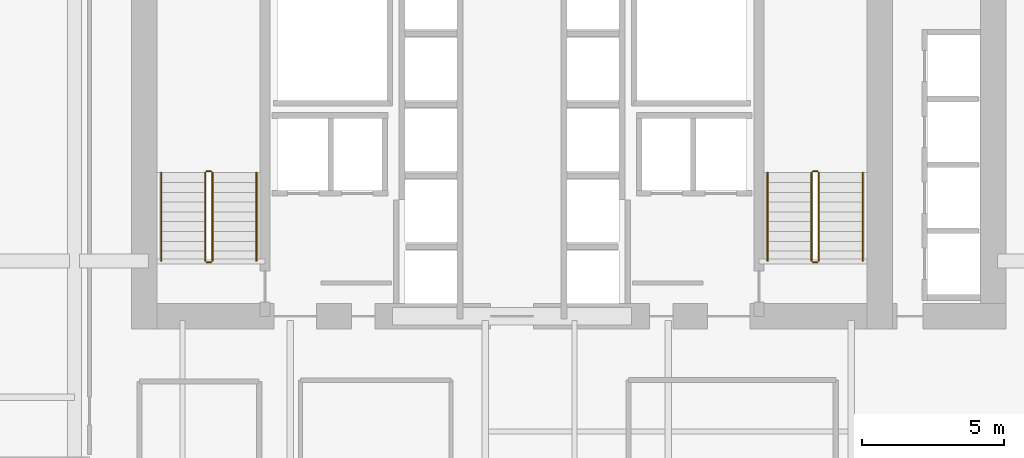
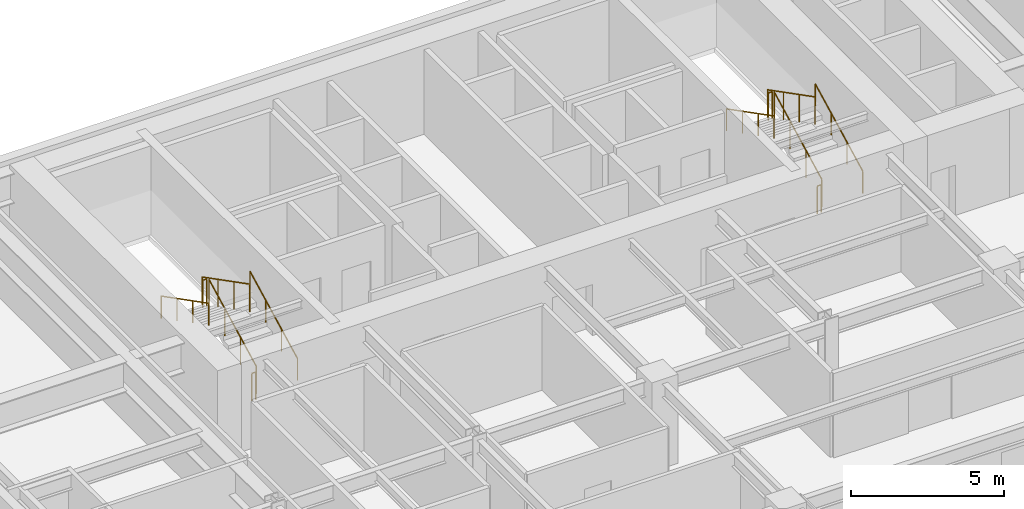
# One storey, part 17 of 17: 12 railings.
"""IFC4 building model written with IfcOpenShell, lengths in metres."""

from ifc_helpers import new_model, si_unit, direction, frame, origin, origin_2d, place, context, subcontext, project, spatial, circle, extrude, material, type_object, element, save


model = new_model("IFC4")

# Units and contexts
model_context = context("Model", 3, precision=1e-05, world=origin(), true_north=direction((0.0, 1.0)))
body_context = subcontext(model_context, "Body", "Model", "MODEL_VIEW")
ifc_project = project(units=[si_unit("LENGTHUNIT", "METRE"), si_unit("AREAUNIT", "SQUARE_METRE"), si_unit("VOLUMEUNIT", "CUBIC_METRE"), si_unit("PLANEANGLEUNIT", "RADIAN"), si_unit("MASSUNIT", "GRAM", prefix="KILO")], contexts=[model_context])

# Site, building, storey
site_placement = place(None, origin())
site = spatial("IfcSite", under=ifc_project, at=site_placement, CompositionType="ELEMENT")
building_placement = place(site_placement, origin())
building = spatial("IfcBuilding", under=site, at=building_placement, Name="Tolvann Quenvar Hotel", CompositionType="ELEMENT")
storey_placement = place(building_placement, frame((0.0, 0.0, 49.75)))
storey = spatial("IfcBuildingStorey", under=building, at=storey_placement, Name="L11", CompositionType="ELEMENT", Elevation=49.75)

# Railings
ifc_material = material(Name="Brushed 316 stainless steel balustrade and handrail", Category="steel")
railing_type_1 = type_object("IfcRailingType", Name="GUARDRAIL", PredefinedType="GUARDRAIL", material=ifc_material)
railing_1_placement = place(storey_placement, frame((12.449951171875, 34.0, 0.177490234375)))
element("IfcRailing", 1, at=railing_1_placement, inside=storey, type_object=railing_type_1, Name="L11 ST-C1 stair guard 1", PredefinedType="GUARDRAIL", context=body_context, shape_type="SweptSolid", body=[
    extrude(circle(Radius=0.02392578125, at=origin_2d()), frame((0.0, 0.0, 1.09619140625), z_axis=(0.0, 0.889221982265, 0.45747597342), x_axis=(-1.0, 0.0, 0.0)), (0.0, 0.0, 1.0), 3.49169921875),
    extrude(circle(Radius=0.02099609375, at=origin_2d()), origin(), (0.0, 0.0, 1.0), 1.072021484375),
    extrude(circle(Radius=0.02099609375, at=origin_2d()), frame((0.0, 1.034912109375, 0.532470703125)), (0.0, 0.0, 1.0), 1.072021484375),
    extrude(circle(Radius=0.02099609375, at=origin_2d()), frame((0.0, 2.070068359375, 1.06494140625)), (0.0, 0.0, 1.0), 1.072021484375),
    extrude(circle(Radius=0.02099609375, at=origin_2d()), frame((0.0, 3.10498046875, 1.597412109375)), (0.0, 0.0, 1.0), 1.072021484375),
])
railing_2_placement = place(storey_placement, frame((12.39990234375, 37.155029296875, 1.77490234375)))
element("IfcRailing", 2, at=railing_2_placement, inside=storey, type_object=railing_type_1, Name="L11 ST-C1 stair guard 2", PredefinedType="GUARDRAIL", context=body_context, shape_type="SweptSolid", body=[
    extrude(circle(Radius=0.02392578125, at=origin_2d()), frame((0.0, 0.0, 1.09619140625), z_axis=(-1.0, 0.0, 0.0), x_axis=(0.0, -1.0, 0.0)), (0.0, 0.0, 1.0), 0.14990234375),
    extrude(circle(Radius=0.02099609375, at=origin_2d()), origin(), (0.0, 0.0, 1.0), 1.072021484375),
    extrude(circle(Radius=0.02099609375, at=origin_2d()), frame((-0.14990234375, 0.0, 0.0)), (0.0, 0.0, 1.0), 1.072021484375),
])
railing_3_placement = place(storey_placement, frame((12.199951171875, 37.10498046875, 1.952392578125)))
element("IfcRailing", 3, at=railing_3_placement, inside=storey, type_object=railing_type_1, Name="L11 ST-C1 stair guard 3", PredefinedType="GUARDRAIL", context=body_context, shape_type="SweptSolid", body=[
    extrude(circle(Radius=0.02392578125, at=origin_2d()), frame((0.0, 0.0, 1.09619140625), z_axis=(0.0, -0.88919353882, 0.457531256332), x_axis=(1.0, 0.0, 0.0)), (0.0, 0.0, 1.0), 3.491943359375),
    extrude(circle(Radius=0.02099609375, at=origin_2d()), origin(), (0.0, 0.0, 1.0), 1.072021484375),
    extrude(circle(Radius=0.02099609375, at=origin_2d()), frame((0.0, -1.034912109375, 0.532470703125)), (0.0, 0.0, 1.0), 1.072021484375),
    extrude(circle(Radius=0.02099609375, at=origin_2d()), frame((0.0, -2.070068359375, 1.065185546875)), (0.0, 0.0, 1.0), 1.072021484375),
    extrude(circle(Radius=0.02099609375, at=origin_2d()), frame((0.0, -3.10498046875, 1.59765625)), (0.0, 0.0, 1.0), 1.072021484375),
])
railing_4_placement = place(storey_placement, frame((12.39990234375, 33.949951171875, 0.0)))
element("IfcRailing", 4, at=railing_4_placement, inside=storey, type_object=railing_type_1, Name="L11 ST-C1 stair guard 4", PredefinedType="GUARDRAIL", context=body_context, shape_type="SweptSolid", body=[
    extrude(circle(Radius=0.02392578125, at=origin_2d()), frame((0.0, 0.0, 1.09619140625), z_axis=(-1.0, 0.0, 0.0), x_axis=(0.0, -1.0, 0.0)), (0.0, 0.0, 1.0), 0.14990234375),
    extrude(circle(Radius=0.02099609375, at=origin_2d()), origin(), (0.0, 0.0, 1.0), 1.072021484375),
    extrude(circle(Radius=0.02099609375, at=origin_2d()), frame((-0.14990234375, 0.0, 0.0)), (0.0, 0.0, 1.0), 1.072021484375),
])
railing_5_placement = place(storey_placement, frame((33.800048828125, 34.0, 0.177490234375)))
element("IfcRailing", 5, at=railing_5_placement, inside=storey, type_object=railing_type_1, Name="L11 ST-C2 stair guard 1", PredefinedType="GUARDRAIL", context=body_context, shape_type="SweptSolid", body=[
    extrude(circle(Radius=0.02392578125, at=origin_2d()), frame((0.0, 0.0, 1.09619140625), z_axis=(0.0, 0.889221982265, 0.45747597342), x_axis=(-1.0, 0.0, 0.0)), (0.0, 0.0, 1.0), 3.49169921875),
    extrude(circle(Radius=0.02099609375, at=origin_2d()), origin(), (0.0, 0.0, 1.0), 1.072021484375),
    extrude(circle(Radius=0.02099609375, at=origin_2d()), frame((0.0, 1.034912109375, 0.532470703125)), (0.0, 0.0, 1.0), 1.072021484375),
    extrude(circle(Radius=0.02099609375, at=origin_2d()), frame((0.0, 2.070068359375, 1.06494140625)), (0.0, 0.0, 1.0), 1.072021484375),
    extrude(circle(Radius=0.02099609375, at=origin_2d()), frame((0.0, 3.10498046875, 1.597412109375)), (0.0, 0.0, 1.0), 1.072021484375),
])
railing_6_placement = place(storey_placement, frame((33.75, 37.155029296875, 1.77490234375)))
element("IfcRailing", 6, at=railing_6_placement, inside=storey, type_object=railing_type_1, Name="L11 ST-C2 stair guard 2", PredefinedType="GUARDRAIL", context=body_context, shape_type="SweptSolid", body=[
    extrude(circle(Radius=0.02392578125, at=origin_2d()), frame((0.0, 0.0, 1.09619140625), z_axis=(-1.0, 0.0, 0.0), x_axis=(0.0, -1.0, 0.0)), (0.0, 0.0, 1.0), 0.14990234375),
    extrude(circle(Radius=0.02099609375, at=origin_2d()), origin(), (0.0, 0.0, 1.0), 1.072021484375),
    extrude(circle(Radius=0.02099609375, at=origin_2d()), frame((-0.14990234375, 0.0, 0.0)), (0.0, 0.0, 1.0), 1.072021484375),
])
railing_7_placement = place(storey_placement, frame((33.550048828125, 37.10498046875, 1.952392578125)))
element("IfcRailing", 7, at=railing_7_placement, inside=storey, type_object=railing_type_1, Name="L11 ST-C2 stair guard 3", PredefinedType="GUARDRAIL", context=body_context, shape_type="SweptSolid", body=[
    extrude(circle(Radius=0.02392578125, at=origin_2d()), frame((0.0, 0.0, 1.09619140625), z_axis=(0.0, -0.88919353882, 0.457531256332), x_axis=(1.0, 0.0, 0.0)), (0.0, 0.0, 1.0), 3.491943359375),
    extrude(circle(Radius=0.02099609375, at=origin_2d()), origin(), (0.0, 0.0, 1.0), 1.072021484375),
    extrude(circle(Radius=0.02099609375, at=origin_2d()), frame((0.0, -1.034912109375, 0.532470703125)), (0.0, 0.0, 1.0), 1.072021484375),
    extrude(circle(Radius=0.02099609375, at=origin_2d()), frame((0.0, -2.070068359375, 1.065185546875)), (0.0, 0.0, 1.0), 1.072021484375),
    extrude(circle(Radius=0.02099609375, at=origin_2d()), frame((0.0, -3.10498046875, 1.59765625)), (0.0, 0.0, 1.0), 1.072021484375),
])
railing_8_placement = place(storey_placement, frame((33.75, 33.949951171875, 0.0)))
element("IfcRailing", 8, at=railing_8_placement, inside=storey, type_object=railing_type_1, Name="L11 ST-C2 stair guard 4", PredefinedType="GUARDRAIL", context=body_context, shape_type="SweptSolid", body=[
    extrude(circle(Radius=0.02392578125, at=origin_2d()), frame((0.0, 0.0, 1.09619140625), z_axis=(-1.0, 0.0, 0.0), x_axis=(0.0, -1.0, 0.0)), (0.0, 0.0, 1.0), 0.14990234375),
    extrude(circle(Radius=0.02099609375, at=origin_2d()), origin(), (0.0, 0.0, 1.0), 1.072021484375),
    extrude(circle(Radius=0.02099609375, at=origin_2d()), frame((-0.14990234375, 0.0, 0.0)), (0.0, 0.0, 1.0), 1.072021484375),
])
railing_type_2 = type_object("IfcRailingType", Name="HANDRAIL", PredefinedType="HANDRAIL", material=ifc_material)
railing_9_placement = place(storey_placement, frame((14.0, 34.0, 0.177490234375)))
element("IfcRailing", 9, at=railing_9_placement, inside=storey, type_object=railing_type_2, Name="L11 ST-C1 stair handrail 1", PredefinedType="HANDRAIL", context=body_context, shape_type="SweptSolid", body=[
    extrude(circle(Radius=0.02392578125, at=origin_2d()), frame((0.0, 0.0, 0.8759765625), z_axis=(0.0, 0.889221982265, 0.45747597342), x_axis=(-1.0, 0.0, 0.0)), (0.0, 0.0, 1.0), 3.49169921875),
    extrude(circle(Radius=0.02099609375, at=origin_2d()), origin(), (0.0, 0.0, 1.0), 0.851806640625),
    extrude(circle(Radius=0.02099609375, at=origin_2d()), frame((0.0, 1.034912109375, 0.532470703125)), (0.0, 0.0, 1.0), 0.851806640625),
    extrude(circle(Radius=0.02099609375, at=origin_2d()), frame((0.0, 2.070068359375, 1.06494140625)), (0.0, 0.0, 1.0), 0.851806640625),
    extrude(circle(Radius=0.02099609375, at=origin_2d()), frame((0.0, 3.10498046875, 1.597412109375)), (0.0, 0.0, 1.0), 0.851806640625),
])
railing_10_placement = place(storey_placement, frame((10.64990234375, 37.10498046875, 1.952392578125)))
element("IfcRailing", 10, at=railing_10_placement, inside=storey, type_object=railing_type_2, Name="L11 ST-C1 stair handrail 2", PredefinedType="HANDRAIL", context=body_context, shape_type="SweptSolid", body=[
    extrude(circle(Radius=0.02392578125, at=origin_2d()), frame((0.0, 0.0, 0.8759765625), z_axis=(0.0, -0.88919353882, 0.457531256332), x_axis=(1.0, 0.0, 0.0)), (0.0, 0.0, 1.0), 3.491943359375),
    extrude(circle(Radius=0.02099609375, at=origin_2d()), origin(), (0.0, 0.0, 1.0), 0.851806640625),
    extrude(circle(Radius=0.02099609375, at=origin_2d()), frame((0.0, -1.034912109375, 0.532470703125)), (0.0, 0.0, 1.0), 0.851806640625),
    extrude(circle(Radius=0.02099609375, at=origin_2d()), frame((0.0, -2.070068359375, 1.065185546875)), (0.0, 0.0, 1.0), 0.851806640625),
    extrude(circle(Radius=0.02099609375, at=origin_2d()), frame((0.0, -3.10498046875, 1.59765625)), (0.0, 0.0, 1.0), 0.851806640625),
])
railing_11_placement = place(storey_placement, frame((35.35009765625, 34.0, 0.177490234375)))
element("IfcRailing", 11, at=railing_11_placement, inside=storey, type_object=railing_type_2, Name="L11 ST-C2 stair handrail 1", PredefinedType="HANDRAIL", context=body_context, shape_type="SweptSolid", body=[
    extrude(circle(Radius=0.02392578125, at=origin_2d()), frame((0.0, 0.0, 0.8759765625), z_axis=(0.0, 0.889221982265, 0.45747597342), x_axis=(-1.0, 0.0, 0.0)), (0.0, 0.0, 1.0), 3.49169921875),
    extrude(circle(Radius=0.02099609375, at=origin_2d()), origin(), (0.0, 0.0, 1.0), 0.851806640625),
    extrude(circle(Radius=0.02099609375, at=origin_2d()), frame((0.0, 1.034912109375, 0.532470703125)), (0.0, 0.0, 1.0), 0.851806640625),
    extrude(circle(Radius=0.02099609375, at=origin_2d()), frame((0.0, 2.070068359375, 1.06494140625)), (0.0, 0.0, 1.0), 0.851806640625),
    extrude(circle(Radius=0.02099609375, at=origin_2d()), frame((0.0, 3.10498046875, 1.597412109375)), (0.0, 0.0, 1.0), 0.851806640625),
])
railing_12_placement = place(storey_placement, frame((32.0, 37.10498046875, 1.952392578125)))
element("IfcRailing", 12, at=railing_12_placement, inside=storey, type_object=railing_type_2, Name="L11 ST-C2 stair handrail 2", PredefinedType="HANDRAIL", context=body_context, shape_type="SweptSolid", body=[
    extrude(circle(Radius=0.02392578125, at=origin_2d()), frame((0.0, 0.0, 0.8759765625), z_axis=(0.0, -0.88919353882, 0.457531256332), x_axis=(1.0, 0.0, 0.0)), (0.0, 0.0, 1.0), 3.491943359375),
    extrude(circle(Radius=0.02099609375, at=origin_2d()), origin(), (0.0, 0.0, 1.0), 0.851806640625),
    extrude(circle(Radius=0.02099609375, at=origin_2d()), frame((0.0, -1.034912109375, 0.532470703125)), (0.0, 0.0, 1.0), 0.851806640625),
    extrude(circle(Radius=0.02099609375, at=origin_2d()), frame((0.0, -2.070068359375, 1.065185546875)), (0.0, 0.0, 1.0), 0.851806640625),
    extrude(circle(Radius=0.02099609375, at=origin_2d()), frame((0.0, -3.10498046875, 1.59765625)), (0.0, 0.0, 1.0), 0.851806640625),
])

save(model, "model.ifc")
